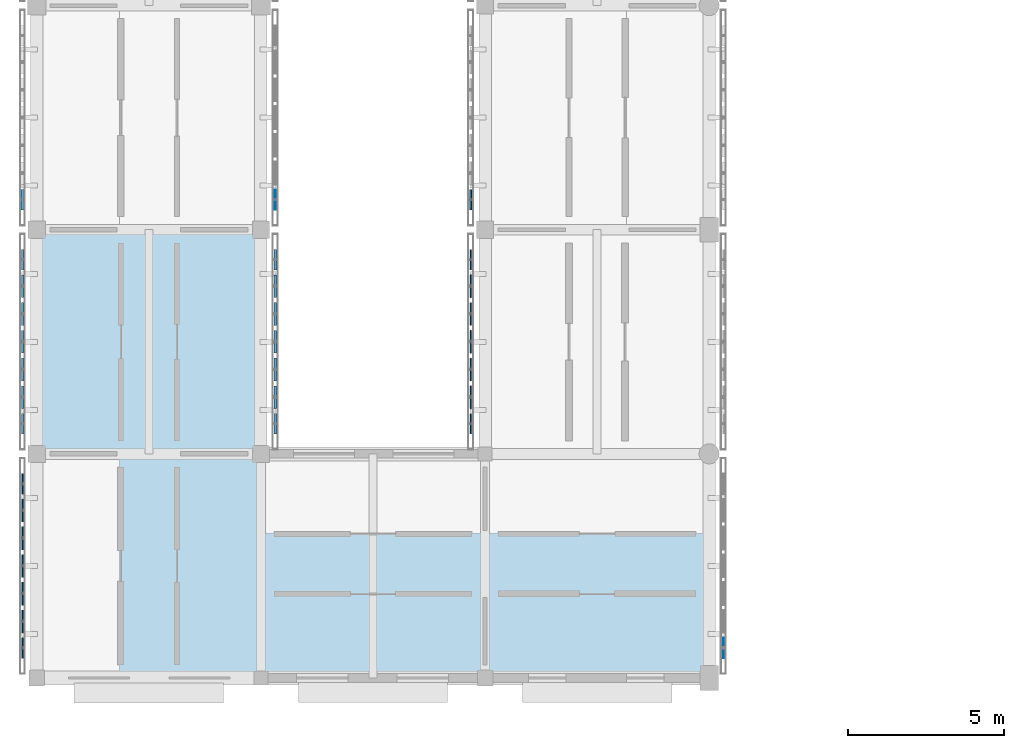
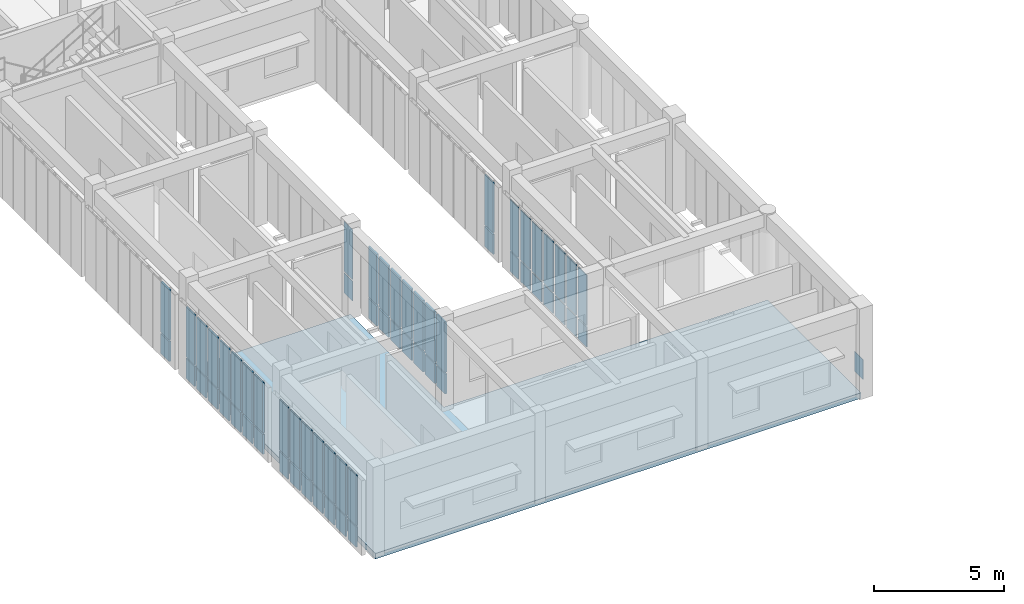
# One storey, part 92 of 171: 63 plates, 1 slab, 8 elements without a shape of their own.
"""IFC4 building model written with IfcOpenShell, lengths in metres."""

from ifc_helpers import new_model, si_unit, direction, frame, origin, origin_2d, place, context, subcontext, project, spatial, polyline, rectangle, outline, extrude, material, layer, layer_set, type_object, element, aggregate, save


model = new_model("IFC4")

# Units and contexts
model_context = context("Model", 3, precision=1e-05, world=origin(), true_north=direction((0.0, 1.0)))
body_context = subcontext(model_context, "Body", "Model", "MODEL_VIEW")
ifc_project = project(units=[si_unit("LENGTHUNIT", "METRE"), si_unit("AREAUNIT", "SQUARE_METRE"), si_unit("VOLUMEUNIT", "CUBIC_METRE"), si_unit("PLANEANGLEUNIT", "RADIAN"), si_unit("MASSUNIT", "GRAM", prefix="KILO")], contexts=[model_context])

# Site, building, storey
site_placement = place(None, origin())
site = spatial("IfcSite", under=ifc_project, at=site_placement, CompositionType="ELEMENT")
building_placement = place(site_placement, origin())
building = spatial("IfcBuilding", under=site, at=building_placement, Name="Aldebral Square Health Centre", CompositionType="ELEMENT")
storey_placement = place(building_placement, frame((0.0, 0.0, 4.5)))
storey = spatial("IfcBuildingStorey", under=building, at=storey_placement, Name="L01", CompositionType="ELEMENT", Elevation=4.5)

# Curtain wall, plates
ifc_material_1 = material(Name="Aluminium and low-E solar glass", Category="aluminium")
curtain_wall_type = type_object("IfcCurtainWallType", Name="CW-FIN-SYS", PredefinedType="USERDEFINED", material=ifc_material_1)
curtain_wall_1_placement = place(storey_placement, origin())
curtain_wall_1 = element("IfcCurtainWall", 1, at=curtain_wall_1_placement, inside=storey, type_object=curtain_wall_type, Name="L01 V6 finned curtain wall L01-V6-00-02-E", ObjectType="SOLAR_CURTAIN_WALL", PredefinedType="USERDEFINED")
ifc_material_2 = material(Name="Solar-control low-E double glass", Category="glass")
ifc_layer_1 = layer(ifc_material_2, 0.02001953125, Name="Solar-control low-E double glass", Category="glass")
ifc_layer_set_1 = layer_set([ifc_layer_1], Name="Solar-control low-E double glass")
plate_type_1 = type_object("IfcPlateType", Name="CWP-GLZ-1", PredefinedType="CURTAIN_PANEL", material=ifc_layer_set_1)
plate_1_placement = place(storey_placement, frame((7.659912109375, 15.36572265625, 0.074951171875), z_axis=(0.0, 0.0, 1.0), x_axis=(0.0, 1.0, 0.0)))
plate_1 = element("IfcPlate", 2, at=plate_1_placement, type_object=plate_type_1, Name="CW1 panel 1.1", PredefinedType="CURTAIN_PANEL", context=body_context, shape_type="SweptSolid", body=[
    extrude(rectangle(XDim=0.6513671875, YDim=0.02001953125, at=origin_2d()), origin(), (0.0, 0.0, 1.0), 0.9375),
])
plate_2_placement = place(storey_placement, frame((7.659912109375, 15.36572265625, 1.087646484375), z_axis=(0.0, 0.0, 1.0), x_axis=(0.0, 1.0, 0.0)))
plate_2 = element("IfcPlate", 3, at=plate_2_placement, type_object=plate_type_1, Name="CW1 panel 1.2", PredefinedType="CURTAIN_PANEL", context=body_context, shape_type="SweptSolid", body=[
    extrude(rectangle(XDim=0.6513671875, YDim=0.02001953125, at=origin_2d()), origin(), (0.0, 0.0, 1.0), 2.357421875),
])
aggregate(curtain_wall_1, [plate_1, plate_2])

# Curtain wall, plate
curtain_wall_2_placement = place(storey_placement, origin())
curtain_wall_2 = element("IfcCurtainWall", 4, at=curtain_wall_2_placement, inside=storey, type_object=curtain_wall_type, Name="L01 V6 finned curtain wall L01-V6-02-00-E", ObjectType="SOLAR_CURTAIN_WALL", PredefinedType="USERDEFINED")
ifc_layer_2 = layer(ifc_material_2, 0.030029296875, Name="Solar-control low-E double glass", Category="glass")
ifc_layer_set_2 = layer_set([ifc_layer_2], Name="Solar-control low-E double glass")
plate_type_2 = type_object("IfcPlateType", Name="CWP-GLZ-2", PredefinedType="CURTAIN_PANEL", material=ifc_layer_set_2)
plate_3_placement = place(storey_placement, frame((22.06005859375, 0.9658203125, 0.074951171875), z_axis=(0.0, 0.0, 1.0), x_axis=(0.0, 1.0, 0.0)))
plate_3 = element("IfcPlate", 5, at=plate_3_placement, type_object=plate_type_2, Name="CW1 panel 1.1", PredefinedType="CURTAIN_PANEL", context=body_context, shape_type="SweptSolid", body=[
    extrude(rectangle(XDim=0.6513671875, YDim=0.030029296875, at=origin_2d()), origin(), (0.0, 0.0, 1.0), 0.9375),
])
aggregate(curtain_wall_2, [plate_3])

# Curtain wall, plates
curtain_wall_3_placement = place(storey_placement, origin())
curtain_wall_3 = element("IfcCurtainWall", 6, at=curtain_wall_3_placement, inside=storey, type_object=curtain_wall_type, Name="L01 V6 finned curtain wall L01-V6-02-01-W", ObjectType="SOLAR_CURTAIN_WALL", PredefinedType="USERDEFINED")
ifc_layer_3 = layer(ifc_material_2, 0.0400390625, Name="Solar-control low-E double glass", Category="glass")
ifc_layer_set_3 = layer_set([ifc_layer_3], Name="Solar-control low-E double glass")
plate_type_3 = type_object("IfcPlateType", Name="CWP-GLZ-3", PredefinedType="CURTAIN_PANEL", material=ifc_layer_set_3)
plate_4_placement = place(storey_placement, frame((13.93994140625, 13.434326171875, 0.074951171875), z_axis=(0.0, 0.0, 1.0), x_axis=(0.0, -1.0, 0.0)))
plate_4 = element("IfcPlate", 7, at=plate_4_placement, type_object=plate_type_3, Name="CW1 panel 1.1", PredefinedType="CURTAIN_PANEL", context=body_context, shape_type="SweptSolid", body=[
    extrude(rectangle(XDim=0.6513671875, YDim=0.0400390625, at=origin_2d()), origin(), (0.0, 0.0, 1.0), 0.9375),
])
plate_5_placement = place(storey_placement, frame((13.93994140625, 13.434326171875, 1.087646484375), z_axis=(0.0, 0.0, 1.0), x_axis=(0.0, -1.0, 0.0)))
plate_5 = element("IfcPlate", 8, at=plate_5_placement, type_object=plate_type_3, Name="CW1 panel 1.2", PredefinedType="CURTAIN_PANEL", context=body_context, shape_type="SweptSolid", body=[
    extrude(rectangle(XDim=0.6513671875, YDim=0.0400390625, at=origin_2d()), origin(), (0.0, 0.0, 1.0), 2.357421875),
])
plate_6_placement = place(storey_placement, frame((13.93994140625, 12.582763671875, 0.074951171875), z_axis=(0.0, 0.0, 1.0), x_axis=(0.0, -1.0, 0.0)))
plate_6 = element("IfcPlate", 9, at=plate_6_placement, type_object=plate_type_3, Name="CW1 panel 2.1", PredefinedType="CURTAIN_PANEL", context=body_context, shape_type="SweptSolid", body=[
    extrude(rectangle(XDim=0.7314453125, YDim=0.0400390625, at=origin_2d()), origin(), (0.0, 0.0, 1.0), 0.9375),
])
plate_7_placement = place(storey_placement, frame((13.93994140625, 12.582763671875, 1.087646484375), z_axis=(0.0, 0.0, 1.0), x_axis=(0.0, -1.0, 0.0)))
plate_7 = element("IfcPlate", 10, at=plate_7_placement, type_object=plate_type_3, Name="CW1 panel 2.2", PredefinedType="CURTAIN_PANEL", context=body_context, shape_type="SweptSolid", body=[
    extrude(rectangle(XDim=0.7314453125, YDim=0.0400390625, at=origin_2d()), origin(), (0.0, 0.0, 1.0), 2.357421875),
])
plate_8_placement = place(storey_placement, frame((13.93994140625, 11.69140625, 0.074951171875), z_axis=(0.0, 0.0, 1.0), x_axis=(0.0, -1.0, 0.0)))
plate_8 = element("IfcPlate", 11, at=plate_8_placement, type_object=plate_type_3, Name="CW1 panel 3.1", PredefinedType="CURTAIN_PANEL", context=body_context, shape_type="SweptSolid", body=[
    extrude(rectangle(XDim=0.7314453125, YDim=0.0400390625, at=origin_2d()), origin(), (0.0, 0.0, 1.0), 0.9375),
])
plate_9_placement = place(storey_placement, frame((13.93994140625, 11.69140625, 1.087646484375), z_axis=(0.0, 0.0, 1.0), x_axis=(0.0, -1.0, 0.0)))
plate_9 = element("IfcPlate", 12, at=plate_9_placement, type_object=plate_type_3, Name="CW1 panel 3.2", PredefinedType="CURTAIN_PANEL", context=body_context, shape_type="SweptSolid", body=[
    extrude(rectangle(XDim=0.7314453125, YDim=0.0400390625, at=origin_2d()), origin(), (0.0, 0.0, 1.0), 2.357421875),
])
plate_10_placement = place(storey_placement, frame((13.93994140625, 10.800048828125, 0.074951171875), z_axis=(0.0, 0.0, 1.0), x_axis=(0.0, -1.0, 0.0)))
plate_10 = element("IfcPlate", 13, at=plate_10_placement, type_object=plate_type_3, Name="CW1 panel 4.1", PredefinedType="CURTAIN_PANEL", context=body_context, shape_type="SweptSolid", body=[
    extrude(rectangle(XDim=0.7314453125, YDim=0.0400390625, at=origin_2d()), origin(), (0.0, 0.0, 1.0), 0.9375),
])
plate_11_placement = place(storey_placement, frame((13.93994140625, 10.800048828125, 1.087646484375), z_axis=(0.0, 0.0, 1.0), x_axis=(0.0, -1.0, 0.0)))
plate_11 = element("IfcPlate", 14, at=plate_11_placement, type_object=plate_type_3, Name="CW1 panel 4.2", PredefinedType="CURTAIN_PANEL", context=body_context, shape_type="SweptSolid", body=[
    extrude(rectangle(XDim=0.7314453125, YDim=0.0400390625, at=origin_2d()), origin(), (0.0, 0.0, 1.0), 2.357421875),
])
plate_12_placement = place(storey_placement, frame((13.93994140625, 9.90869140625, 0.074951171875), z_axis=(0.0, 0.0, 1.0), x_axis=(0.0, -1.0, 0.0)))
plate_12 = element("IfcPlate", 15, at=plate_12_placement, type_object=plate_type_3, Name="CW1 panel 5.1", PredefinedType="CURTAIN_PANEL", context=body_context, shape_type="SweptSolid", body=[
    extrude(rectangle(XDim=0.7314453125, YDim=0.0400390625, at=origin_2d()), origin(), (0.0, 0.0, 1.0), 0.9375),
])
plate_13_placement = place(storey_placement, frame((13.93994140625, 9.90869140625, 1.087646484375), z_axis=(0.0, 0.0, 1.0), x_axis=(0.0, -1.0, 0.0)))
plate_13 = element("IfcPlate", 16, at=plate_13_placement, type_object=plate_type_3, Name="CW1 panel 5.2", PredefinedType="CURTAIN_PANEL", context=body_context, shape_type="SweptSolid", body=[
    extrude(rectangle(XDim=0.7314453125, YDim=0.0400390625, at=origin_2d()), origin(), (0.0, 0.0, 1.0), 2.357421875),
])
plate_14_placement = place(storey_placement, frame((13.93994140625, 9.01708984375, 0.074951171875), z_axis=(0.0, 0.0, 1.0), x_axis=(0.0, -1.0, 0.0)))
plate_14 = element("IfcPlate", 17, at=plate_14_placement, type_object=plate_type_3, Name="CW1 panel 6.1", PredefinedType="CURTAIN_PANEL", context=body_context, shape_type="SweptSolid", body=[
    extrude(rectangle(XDim=0.7314453125, YDim=0.0400390625, at=origin_2d()), origin(), (0.0, 0.0, 1.0), 0.9375),
])
plate_15_placement = place(storey_placement, frame((13.93994140625, 9.01708984375, 1.087646484375), z_axis=(0.0, 0.0, 1.0), x_axis=(0.0, -1.0, 0.0)))
plate_15 = element("IfcPlate", 18, at=plate_15_placement, type_object=plate_type_3, Name="CW1 panel 6.2", PredefinedType="CURTAIN_PANEL", context=body_context, shape_type="SweptSolid", body=[
    extrude(rectangle(XDim=0.7314453125, YDim=0.0400390625, at=origin_2d()), origin(), (0.0, 0.0, 1.0), 2.357421875),
])
plate_16_placement = place(storey_placement, frame((13.93994140625, 8.165771484375, 0.074951171875), z_axis=(0.0, 0.0, 1.0), x_axis=(0.0, -1.0, 0.0)))
plate_16 = element("IfcPlate", 19, at=plate_16_placement, type_object=plate_type_3, Name="CW1 panel 7.1", PredefinedType="CURTAIN_PANEL", context=body_context, shape_type="SweptSolid", body=[
    extrude(rectangle(XDim=0.6513671875, YDim=0.0400390625, at=origin_2d()), origin(), (0.0, 0.0, 1.0), 0.9375),
])
plate_17_placement = place(storey_placement, frame((13.93994140625, 8.165771484375, 1.087646484375), z_axis=(0.0, 0.0, 1.0), x_axis=(0.0, -1.0, 0.0)))
plate_17 = element("IfcPlate", 20, at=plate_17_placement, type_object=plate_type_3, Name="CW1 panel 7.2", PredefinedType="CURTAIN_PANEL", context=body_context, shape_type="SweptSolid", body=[
    extrude(rectangle(XDim=0.6513671875, YDim=0.0400390625, at=origin_2d()), origin(), (0.0, 0.0, 1.0), 2.357421875),
])
aggregate(curtain_wall_3, [plate_4, plate_5, plate_6, plate_7, plate_8, plate_9, plate_10, plate_11, plate_12, plate_13, plate_14, plate_15, plate_16, plate_17])

curtain_wall_4_placement = place(storey_placement, origin())
curtain_wall_4 = element("IfcCurtainWall", 21, at=curtain_wall_4_placement, inside=storey, type_object=curtain_wall_type, Name="L01 V6 finned curtain wall L01-V6-00-00-W", ObjectType="SOLAR_CURTAIN_WALL", PredefinedType="USERDEFINED")
ifc_layer_4 = layer(ifc_material_2, 0.06005859375, Name="Solar-control low-E double glass", Category="glass")
ifc_layer_set_4 = layer_set([ifc_layer_4], Name="Solar-control low-E double glass")
plate_type_4 = type_object("IfcPlateType", Name="CWP-GLZ-5", PredefinedType="CURTAIN_PANEL", material=ifc_layer_set_4)
plate_18_placement = place(storey_placement, frame((-0.4599609375, 6.234375, 0.074951171875), z_axis=(0.0, 0.0, 1.0), x_axis=(0.0, -1.0, 0.0)))
plate_18 = element("IfcPlate", 22, at=plate_18_placement, type_object=plate_type_4, Name="CW1 panel 1.1", PredefinedType="CURTAIN_PANEL", context=body_context, shape_type="SweptSolid", body=[
    extrude(rectangle(XDim=0.6513671875, YDim=0.06005859375, at=origin_2d()), origin(), (0.0, 0.0, 1.0), 0.9375),
])
plate_19_placement = place(storey_placement, frame((-0.4599609375, 6.234375, 1.087646484375), z_axis=(0.0, 0.0, 1.0), x_axis=(0.0, -1.0, 0.0)))
plate_19 = element("IfcPlate", 23, at=plate_19_placement, type_object=plate_type_4, Name="CW1 panel 1.2", PredefinedType="CURTAIN_PANEL", context=body_context, shape_type="SweptSolid", body=[
    extrude(rectangle(XDim=0.6513671875, YDim=0.06005859375, at=origin_2d()), origin(), (0.0, 0.0, 1.0), 2.357421875),
])
plate_20_placement = place(storey_placement, frame((-0.4599609375, 5.3828125, 0.074951171875), z_axis=(0.0, 0.0, 1.0), x_axis=(0.0, -1.0, 0.0)))
plate_20 = element("IfcPlate", 24, at=plate_20_placement, type_object=plate_type_4, Name="CW1 panel 2.1", PredefinedType="CURTAIN_PANEL", context=body_context, shape_type="SweptSolid", body=[
    extrude(rectangle(XDim=0.7314453125, YDim=0.06005859375, at=origin_2d()), origin(), (0.0, 0.0, 1.0), 0.9375),
])
plate_21_placement = place(storey_placement, frame((-0.4599609375, 5.3828125, 1.087646484375), z_axis=(0.0, 0.0, 1.0), x_axis=(0.0, -1.0, 0.0)))
plate_21 = element("IfcPlate", 25, at=plate_21_placement, type_object=plate_type_4, Name="CW1 panel 2.2", PredefinedType="CURTAIN_PANEL", context=body_context, shape_type="SweptSolid", body=[
    extrude(rectangle(XDim=0.7314453125, YDim=0.06005859375, at=origin_2d()), origin(), (0.0, 0.0, 1.0), 2.357421875),
])
plate_22_placement = place(storey_placement, frame((-0.4599609375, 4.491455078125, 0.074951171875), z_axis=(0.0, 0.0, 1.0), x_axis=(0.0, -1.0, 0.0)))
plate_22 = element("IfcPlate", 26, at=plate_22_placement, type_object=plate_type_4, Name="CW1 panel 3.1", PredefinedType="CURTAIN_PANEL", context=body_context, shape_type="SweptSolid", body=[
    extrude(rectangle(XDim=0.7314453125, YDim=0.06005859375, at=origin_2d()), origin(), (0.0, 0.0, 1.0), 0.9375),
])
plate_23_placement = place(storey_placement, frame((-0.4599609375, 4.491455078125, 1.087646484375), z_axis=(0.0, 0.0, 1.0), x_axis=(0.0, -1.0, 0.0)))
plate_23 = element("IfcPlate", 27, at=plate_23_placement, type_object=plate_type_4, Name="CW1 panel 3.2", PredefinedType="CURTAIN_PANEL", context=body_context, shape_type="SweptSolid", body=[
    extrude(rectangle(XDim=0.7314453125, YDim=0.06005859375, at=origin_2d()), origin(), (0.0, 0.0, 1.0), 2.357421875),
])
plate_24_placement = place(storey_placement, frame((-0.4599609375, 3.60009765625, 0.074951171875), z_axis=(0.0, 0.0, 1.0), x_axis=(0.0, -1.0, 0.0)))
plate_24 = element("IfcPlate", 28, at=plate_24_placement, type_object=plate_type_4, Name="CW1 panel 4.1", PredefinedType="CURTAIN_PANEL", context=body_context, shape_type="SweptSolid", body=[
    extrude(rectangle(XDim=0.7314453125, YDim=0.06005859375, at=origin_2d()), origin(), (0.0, 0.0, 1.0), 0.9375),
])
plate_25_placement = place(storey_placement, frame((-0.4599609375, 3.60009765625, 1.087646484375), z_axis=(0.0, 0.0, 1.0), x_axis=(0.0, -1.0, 0.0)))
plate_25 = element("IfcPlate", 29, at=plate_25_placement, type_object=plate_type_4, Name="CW1 panel 4.2", PredefinedType="CURTAIN_PANEL", context=body_context, shape_type="SweptSolid", body=[
    extrude(rectangle(XDim=0.7314453125, YDim=0.06005859375, at=origin_2d()), origin(), (0.0, 0.0, 1.0), 2.357421875),
])
plate_26_placement = place(storey_placement, frame((-0.4599609375, 2.70849609375, 0.074951171875), z_axis=(0.0, 0.0, 1.0), x_axis=(0.0, -1.0, 0.0)))
plate_26 = element("IfcPlate", 30, at=plate_26_placement, type_object=plate_type_4, Name="CW1 panel 5.1", PredefinedType="CURTAIN_PANEL", context=body_context, shape_type="SweptSolid", body=[
    extrude(rectangle(XDim=0.7314453125, YDim=0.06005859375, at=origin_2d()), origin(), (0.0, 0.0, 1.0), 0.9375),
])
plate_27_placement = place(storey_placement, frame((-0.4599609375, 2.70849609375, 1.087646484375), z_axis=(0.0, 0.0, 1.0), x_axis=(0.0, -1.0, 0.0)))
plate_27 = element("IfcPlate", 31, at=plate_27_placement, type_object=plate_type_4, Name="CW1 panel 5.2", PredefinedType="CURTAIN_PANEL", context=body_context, shape_type="SweptSolid", body=[
    extrude(rectangle(XDim=0.7314453125, YDim=0.06005859375, at=origin_2d()), origin(), (0.0, 0.0, 1.0), 2.357421875),
])
plate_28_placement = place(storey_placement, frame((-0.4599609375, 1.817138671875, 0.074951171875), z_axis=(0.0, 0.0, 1.0), x_axis=(0.0, -1.0, 0.0)))
plate_28 = element("IfcPlate", 32, at=plate_28_placement, type_object=plate_type_4, Name="CW1 panel 6.1", PredefinedType="CURTAIN_PANEL", context=body_context, shape_type="SweptSolid", body=[
    extrude(rectangle(XDim=0.7314453125, YDim=0.06005859375, at=origin_2d()), origin(), (0.0, 0.0, 1.0), 0.9375),
])
plate_29_placement = place(storey_placement, frame((-0.4599609375, 1.817138671875, 1.087646484375), z_axis=(0.0, 0.0, 1.0), x_axis=(0.0, -1.0, 0.0)))
plate_29 = element("IfcPlate", 33, at=plate_29_placement, type_object=plate_type_4, Name="CW1 panel 6.2", PredefinedType="CURTAIN_PANEL", context=body_context, shape_type="SweptSolid", body=[
    extrude(rectangle(XDim=0.7314453125, YDim=0.06005859375, at=origin_2d()), origin(), (0.0, 0.0, 1.0), 2.357421875),
])
plate_30_placement = place(storey_placement, frame((-0.4599609375, 0.9658203125, 0.074951171875), z_axis=(0.0, 0.0, 1.0), x_axis=(0.0, -1.0, 0.0)))
plate_30 = element("IfcPlate", 34, at=plate_30_placement, type_object=plate_type_4, Name="CW1 panel 7.1", PredefinedType="CURTAIN_PANEL", context=body_context, shape_type="SweptSolid", body=[
    extrude(rectangle(XDim=0.6513671875, YDim=0.06005859375, at=origin_2d()), origin(), (0.0, 0.0, 1.0), 0.9375),
])
plate_31_placement = place(storey_placement, frame((-0.4599609375, 0.9658203125, 1.087646484375), z_axis=(0.0, 0.0, 1.0), x_axis=(0.0, -1.0, 0.0)))
plate_31 = element("IfcPlate", 35, at=plate_31_placement, type_object=plate_type_4, Name="CW1 panel 7.2", PredefinedType="CURTAIN_PANEL", context=body_context, shape_type="SweptSolid", body=[
    extrude(rectangle(XDim=0.6513671875, YDim=0.06005859375, at=origin_2d()), origin(), (0.0, 0.0, 1.0), 2.357421875),
])
aggregate(curtain_wall_4, [plate_18, plate_19, plate_20, plate_21, plate_22, plate_23, plate_24, plate_25, plate_26, plate_27, plate_28, plate_29, plate_30, plate_31])

curtain_wall_5_placement = place(storey_placement, origin())
curtain_wall_5 = element("IfcCurtainWall", 36, at=curtain_wall_5_placement, inside=storey, type_object=curtain_wall_type, Name="L01 V6 finned curtain wall L01-V6-02-02-W", ObjectType="SOLAR_CURTAIN_WALL", PredefinedType="USERDEFINED")
plate_32_placement = place(storey_placement, frame((13.93994140625, 15.36572265625, 0.074951171875), z_axis=(0.0, 0.0, 1.0), x_axis=(0.0, -1.0, 0.0)))
plate_32 = element("IfcPlate", 37, at=plate_32_placement, type_object=plate_type_4, Name="CW1 panel 7.1", PredefinedType="CURTAIN_PANEL", context=body_context, shape_type="SweptSolid", body=[
    extrude(rectangle(XDim=0.6513671875, YDim=0.06005859375, at=origin_2d()), origin(), (0.0, 0.0, 1.0), 0.9375),
])
plate_33_placement = place(storey_placement, frame((13.93994140625, 15.36572265625, 1.087646484375), z_axis=(0.0, 0.0, 1.0), x_axis=(0.0, -1.0, 0.0)))
plate_33 = element("IfcPlate", 38, at=plate_33_placement, type_object=plate_type_4, Name="CW1 panel 7.2", PredefinedType="CURTAIN_PANEL", context=body_context, shape_type="SweptSolid", body=[
    extrude(rectangle(XDim=0.6513671875, YDim=0.06005859375, at=origin_2d()), origin(), (0.0, 0.0, 1.0), 2.357421875),
])
aggregate(curtain_wall_5, [plate_32, plate_33])

curtain_wall_6_placement = place(storey_placement, origin())
curtain_wall_6 = element("IfcCurtainWall", 39, at=curtain_wall_6_placement, inside=storey, type_object=curtain_wall_type, Name="L01 V6 finned curtain wall L01-V6-00-01-W", ObjectType="SOLAR_CURTAIN_WALL", PredefinedType="USERDEFINED")
ifc_layer_5 = layer(ifc_material_2, 0.070068359375, Name="Solar-control low-E double glass", Category="glass")
ifc_layer_set_5 = layer_set([ifc_layer_5], Name="Solar-control low-E double glass")
plate_type_5 = type_object("IfcPlateType", Name="CWP-GLZ-6", PredefinedType="CURTAIN_PANEL", material=ifc_layer_set_5)
plate_34_placement = place(storey_placement, frame((-0.4599609375, 13.434326171875, 0.074951171875), z_axis=(0.0, 0.0, 1.0), x_axis=(0.0, -1.0, 0.0)))
plate_34 = element("IfcPlate", 40, at=plate_34_placement, type_object=plate_type_5, Name="CW1 panel 1.1", PredefinedType="CURTAIN_PANEL", context=body_context, shape_type="SweptSolid", body=[
    extrude(rectangle(XDim=0.6513671875, YDim=0.070068359375, at=origin_2d()), origin(), (0.0, 0.0, 1.0), 0.9375),
])
plate_35_placement = place(storey_placement, frame((-0.4599609375, 13.434326171875, 1.087646484375), z_axis=(0.0, 0.0, 1.0), x_axis=(0.0, -1.0, 0.0)))
plate_35 = element("IfcPlate", 41, at=plate_35_placement, type_object=plate_type_5, Name="CW1 panel 1.2", PredefinedType="CURTAIN_PANEL", context=body_context, shape_type="SweptSolid", body=[
    extrude(rectangle(XDim=0.6513671875, YDim=0.070068359375, at=origin_2d()), origin(), (0.0, 0.0, 1.0), 2.357421875),
])
plate_36_placement = place(storey_placement, frame((-0.4599609375, 12.582763671875, 0.074951171875), z_axis=(0.0, 0.0, 1.0), x_axis=(0.0, -1.0, 0.0)))
plate_36 = element("IfcPlate", 42, at=plate_36_placement, type_object=plate_type_5, Name="CW1 panel 2.1", PredefinedType="CURTAIN_PANEL", context=body_context, shape_type="SweptSolid", body=[
    extrude(rectangle(XDim=0.7314453125, YDim=0.070068359375, at=origin_2d()), origin(), (0.0, 0.0, 1.0), 0.9375),
])
plate_37_placement = place(storey_placement, frame((-0.4599609375, 12.582763671875, 1.087646484375), z_axis=(0.0, 0.0, 1.0), x_axis=(0.0, -1.0, 0.0)))
plate_37 = element("IfcPlate", 43, at=plate_37_placement, type_object=plate_type_5, Name="CW1 panel 2.2", PredefinedType="CURTAIN_PANEL", context=body_context, shape_type="SweptSolid", body=[
    extrude(rectangle(XDim=0.7314453125, YDim=0.070068359375, at=origin_2d()), origin(), (0.0, 0.0, 1.0), 2.357421875),
])
plate_38_placement = place(storey_placement, frame((-0.4599609375, 11.69140625, 0.074951171875), z_axis=(0.0, 0.0, 1.0), x_axis=(0.0, -1.0, 0.0)))
plate_38 = element("IfcPlate", 44, at=plate_38_placement, type_object=plate_type_5, Name="CW1 panel 3.1", PredefinedType="CURTAIN_PANEL", context=body_context, shape_type="SweptSolid", body=[
    extrude(rectangle(XDim=0.7314453125, YDim=0.070068359375, at=origin_2d()), origin(), (0.0, 0.0, 1.0), 0.9375),
])
plate_39_placement = place(storey_placement, frame((-0.4599609375, 11.69140625, 1.087646484375), z_axis=(0.0, 0.0, 1.0), x_axis=(0.0, -1.0, 0.0)))
plate_39 = element("IfcPlate", 45, at=plate_39_placement, type_object=plate_type_5, Name="CW1 panel 3.2", PredefinedType="CURTAIN_PANEL", context=body_context, shape_type="SweptSolid", body=[
    extrude(rectangle(XDim=0.7314453125, YDim=0.070068359375, at=origin_2d()), origin(), (0.0, 0.0, 1.0), 2.357421875),
])
plate_40_placement = place(storey_placement, frame((-0.4599609375, 10.800048828125, 0.074951171875), z_axis=(0.0, 0.0, 1.0), x_axis=(0.0, -1.0, 0.0)))
plate_40 = element("IfcPlate", 46, at=plate_40_placement, type_object=plate_type_5, Name="CW1 panel 4.1", PredefinedType="CURTAIN_PANEL", context=body_context, shape_type="SweptSolid", body=[
    extrude(rectangle(XDim=0.7314453125, YDim=0.070068359375, at=origin_2d()), origin(), (0.0, 0.0, 1.0), 0.9375),
])
plate_41_placement = place(storey_placement, frame((-0.4599609375, 10.800048828125, 1.087646484375), z_axis=(0.0, 0.0, 1.0), x_axis=(0.0, -1.0, 0.0)))
plate_41 = element("IfcPlate", 47, at=plate_41_placement, type_object=plate_type_5, Name="CW1 panel 4.2", PredefinedType="CURTAIN_PANEL", context=body_context, shape_type="SweptSolid", body=[
    extrude(rectangle(XDim=0.7314453125, YDim=0.070068359375, at=origin_2d()), origin(), (0.0, 0.0, 1.0), 2.357421875),
])
plate_42_placement = place(storey_placement, frame((-0.4599609375, 9.90869140625, 0.074951171875), z_axis=(0.0, 0.0, 1.0), x_axis=(0.0, -1.0, 0.0)))
plate_42 = element("IfcPlate", 48, at=plate_42_placement, type_object=plate_type_5, Name="CW1 panel 5.1", PredefinedType="CURTAIN_PANEL", context=body_context, shape_type="SweptSolid", body=[
    extrude(rectangle(XDim=0.7314453125, YDim=0.070068359375, at=origin_2d()), origin(), (0.0, 0.0, 1.0), 0.9375),
])
plate_43_placement = place(storey_placement, frame((-0.4599609375, 9.90869140625, 1.087646484375), z_axis=(0.0, 0.0, 1.0), x_axis=(0.0, -1.0, 0.0)))
plate_43 = element("IfcPlate", 49, at=plate_43_placement, type_object=plate_type_5, Name="CW1 panel 5.2", PredefinedType="CURTAIN_PANEL", context=body_context, shape_type="SweptSolid", body=[
    extrude(rectangle(XDim=0.7314453125, YDim=0.070068359375, at=origin_2d()), origin(), (0.0, 0.0, 1.0), 2.357421875),
])
plate_44_placement = place(storey_placement, frame((-0.4599609375, 9.01708984375, 0.074951171875), z_axis=(0.0, 0.0, 1.0), x_axis=(0.0, -1.0, 0.0)))
plate_44 = element("IfcPlate", 50, at=plate_44_placement, type_object=plate_type_5, Name="CW1 panel 6.1", PredefinedType="CURTAIN_PANEL", context=body_context, shape_type="SweptSolid", body=[
    extrude(rectangle(XDim=0.7314453125, YDim=0.070068359375, at=origin_2d()), origin(), (0.0, 0.0, 1.0), 0.9375),
])
plate_45_placement = place(storey_placement, frame((-0.4599609375, 9.01708984375, 1.087646484375), z_axis=(0.0, 0.0, 1.0), x_axis=(0.0, -1.0, 0.0)))
plate_45 = element("IfcPlate", 51, at=plate_45_placement, type_object=plate_type_5, Name="CW1 panel 6.2", PredefinedType="CURTAIN_PANEL", context=body_context, shape_type="SweptSolid", body=[
    extrude(rectangle(XDim=0.7314453125, YDim=0.070068359375, at=origin_2d()), origin(), (0.0, 0.0, 1.0), 2.357421875),
])
plate_46_placement = place(storey_placement, frame((-0.4599609375, 8.165771484375, 0.074951171875), z_axis=(0.0, 0.0, 1.0), x_axis=(0.0, -1.0, 0.0)))
plate_46 = element("IfcPlate", 52, at=plate_46_placement, type_object=plate_type_5, Name="CW1 panel 7.1", PredefinedType="CURTAIN_PANEL", context=body_context, shape_type="SweptSolid", body=[
    extrude(rectangle(XDim=0.6513671875, YDim=0.070068359375, at=origin_2d()), origin(), (0.0, 0.0, 1.0), 0.9375),
])
plate_47_placement = place(storey_placement, frame((-0.4599609375, 8.165771484375, 1.087646484375), z_axis=(0.0, 0.0, 1.0), x_axis=(0.0, -1.0, 0.0)))
plate_47 = element("IfcPlate", 53, at=plate_47_placement, type_object=plate_type_5, Name="CW1 panel 7.2", PredefinedType="CURTAIN_PANEL", context=body_context, shape_type="SweptSolid", body=[
    extrude(rectangle(XDim=0.6513671875, YDim=0.070068359375, at=origin_2d()), origin(), (0.0, 0.0, 1.0), 2.357421875),
])
aggregate(curtain_wall_6, [plate_34, plate_35, plate_36, plate_37, plate_38, plate_39, plate_40, plate_41, plate_42, plate_43, plate_44, plate_45, plate_46, plate_47])

curtain_wall_7_placement = place(storey_placement, origin())
curtain_wall_7 = element("IfcCurtainWall", 54, at=curtain_wall_7_placement, inside=storey, type_object=curtain_wall_type, Name="L01 V6 finned curtain wall L01-V6-00-01-E", ObjectType="SOLAR_CURTAIN_WALL", PredefinedType="USERDEFINED")
ifc_layer_6 = layer(ifc_material_2, 0.080078125, Name="Solar-control low-E double glass", Category="glass")
ifc_layer_set_6 = layer_set([ifc_layer_6], Name="Solar-control low-E double glass")
plate_type_6 = type_object("IfcPlateType", Name="CWP-GLZ-7", PredefinedType="CURTAIN_PANEL", material=ifc_layer_set_6)
plate_48_placement = place(storey_placement, frame((7.659912109375, 8.165771484375, 0.074951171875), z_axis=(0.0, 0.0, 1.0), x_axis=(0.0, 1.0, 0.0)))
plate_48 = element("IfcPlate", 55, at=plate_48_placement, type_object=plate_type_6, Name="CW1 panel 1.1", PredefinedType="CURTAIN_PANEL", context=body_context, shape_type="SweptSolid", body=[
    extrude(rectangle(XDim=0.6513671875, YDim=0.080078125, at=origin_2d()), origin(), (0.0, 0.0, 1.0), 0.9375),
])
plate_49_placement = place(storey_placement, frame((7.659912109375, 8.165771484375, 1.087646484375), z_axis=(0.0, 0.0, 1.0), x_axis=(0.0, 1.0, 0.0)))
plate_49 = element("IfcPlate", 56, at=plate_49_placement, type_object=plate_type_6, Name="CW1 panel 1.2", PredefinedType="CURTAIN_PANEL", context=body_context, shape_type="SweptSolid", body=[
    extrude(rectangle(XDim=0.6513671875, YDim=0.080078125, at=origin_2d()), origin(), (0.0, 0.0, 1.0), 2.357421875),
])
plate_50_placement = place(storey_placement, frame((7.659912109375, 9.01708984375, 0.074951171875), z_axis=(0.0, 0.0, 1.0), x_axis=(0.0, 1.0, 0.0)))
plate_50 = element("IfcPlate", 57, at=plate_50_placement, type_object=plate_type_6, Name="CW1 panel 2.1", PredefinedType="CURTAIN_PANEL", context=body_context, shape_type="SweptSolid", body=[
    extrude(rectangle(XDim=0.7314453125, YDim=0.080078125, at=origin_2d()), origin(), (0.0, 0.0, 1.0), 0.9375),
])
plate_51_placement = place(storey_placement, frame((7.659912109375, 9.01708984375, 1.087646484375), z_axis=(0.0, 0.0, 1.0), x_axis=(0.0, 1.0, 0.0)))
plate_51 = element("IfcPlate", 58, at=plate_51_placement, type_object=plate_type_6, Name="CW1 panel 2.2", PredefinedType="CURTAIN_PANEL", context=body_context, shape_type="SweptSolid", body=[
    extrude(rectangle(XDim=0.7314453125, YDim=0.080078125, at=origin_2d()), origin(), (0.0, 0.0, 1.0), 2.357421875),
])
plate_52_placement = place(storey_placement, frame((7.659912109375, 9.90869140625, 0.074951171875), z_axis=(0.0, 0.0, 1.0), x_axis=(0.0, 1.0, 0.0)))
plate_52 = element("IfcPlate", 59, at=plate_52_placement, type_object=plate_type_6, Name="CW1 panel 3.1", PredefinedType="CURTAIN_PANEL", context=body_context, shape_type="SweptSolid", body=[
    extrude(rectangle(XDim=0.7314453125, YDim=0.080078125, at=origin_2d()), origin(), (0.0, 0.0, 1.0), 0.9375),
])
plate_53_placement = place(storey_placement, frame((7.659912109375, 9.90869140625, 1.087646484375), z_axis=(0.0, 0.0, 1.0), x_axis=(0.0, 1.0, 0.0)))
plate_53 = element("IfcPlate", 60, at=plate_53_placement, type_object=plate_type_6, Name="CW1 panel 3.2", PredefinedType="CURTAIN_PANEL", context=body_context, shape_type="SweptSolid", body=[
    extrude(rectangle(XDim=0.7314453125, YDim=0.080078125, at=origin_2d()), origin(), (0.0, 0.0, 1.0), 2.357421875),
])
plate_54_placement = place(storey_placement, frame((7.659912109375, 10.800048828125, 0.074951171875), z_axis=(0.0, 0.0, 1.0), x_axis=(0.0, 1.0, 0.0)))
plate_54 = element("IfcPlate", 61, at=plate_54_placement, type_object=plate_type_6, Name="CW1 panel 4.1", PredefinedType="CURTAIN_PANEL", context=body_context, shape_type="SweptSolid", body=[
    extrude(rectangle(XDim=0.7314453125, YDim=0.080078125, at=origin_2d()), origin(), (0.0, 0.0, 1.0), 0.9375),
])
plate_55_placement = place(storey_placement, frame((7.659912109375, 10.800048828125, 1.087646484375), z_axis=(0.0, 0.0, 1.0), x_axis=(0.0, 1.0, 0.0)))
plate_55 = element("IfcPlate", 62, at=plate_55_placement, type_object=plate_type_6, Name="CW1 panel 4.2", PredefinedType="CURTAIN_PANEL", context=body_context, shape_type="SweptSolid", body=[
    extrude(rectangle(XDim=0.7314453125, YDim=0.080078125, at=origin_2d()), origin(), (0.0, 0.0, 1.0), 2.357421875),
])
plate_56_placement = place(storey_placement, frame((7.659912109375, 11.69140625, 0.074951171875), z_axis=(0.0, 0.0, 1.0), x_axis=(0.0, 1.0, 0.0)))
plate_56 = element("IfcPlate", 63, at=plate_56_placement, type_object=plate_type_6, Name="CW1 panel 5.1", PredefinedType="CURTAIN_PANEL", context=body_context, shape_type="SweptSolid", body=[
    extrude(rectangle(XDim=0.7314453125, YDim=0.080078125, at=origin_2d()), origin(), (0.0, 0.0, 1.0), 0.9375),
])
plate_57_placement = place(storey_placement, frame((7.659912109375, 11.69140625, 1.087646484375), z_axis=(0.0, 0.0, 1.0), x_axis=(0.0, 1.0, 0.0)))
plate_57 = element("IfcPlate", 64, at=plate_57_placement, type_object=plate_type_6, Name="CW1 panel 5.2", PredefinedType="CURTAIN_PANEL", context=body_context, shape_type="SweptSolid", body=[
    extrude(rectangle(XDim=0.7314453125, YDim=0.080078125, at=origin_2d()), origin(), (0.0, 0.0, 1.0), 2.357421875),
])
plate_58_placement = place(storey_placement, frame((7.659912109375, 12.582763671875, 0.074951171875), z_axis=(0.0, 0.0, 1.0), x_axis=(0.0, 1.0, 0.0)))
plate_58 = element("IfcPlate", 65, at=plate_58_placement, type_object=plate_type_6, Name="CW1 panel 6.1", PredefinedType="CURTAIN_PANEL", context=body_context, shape_type="SweptSolid", body=[
    extrude(rectangle(XDim=0.7314453125, YDim=0.080078125, at=origin_2d()), origin(), (0.0, 0.0, 1.0), 0.9375),
])
plate_59_placement = place(storey_placement, frame((7.659912109375, 12.582763671875, 1.087646484375), z_axis=(0.0, 0.0, 1.0), x_axis=(0.0, 1.0, 0.0)))
plate_59 = element("IfcPlate", 66, at=plate_59_placement, type_object=plate_type_6, Name="CW1 panel 6.2", PredefinedType="CURTAIN_PANEL", context=body_context, shape_type="SweptSolid", body=[
    extrude(rectangle(XDim=0.7314453125, YDim=0.080078125, at=origin_2d()), origin(), (0.0, 0.0, 1.0), 2.357421875),
])
plate_60_placement = place(storey_placement, frame((7.659912109375, 13.434326171875, 0.074951171875), z_axis=(0.0, 0.0, 1.0), x_axis=(0.0, 1.0, 0.0)))
plate_60 = element("IfcPlate", 67, at=plate_60_placement, type_object=plate_type_6, Name="CW1 panel 7.1", PredefinedType="CURTAIN_PANEL", context=body_context, shape_type="SweptSolid", body=[
    extrude(rectangle(XDim=0.6513671875, YDim=0.080078125, at=origin_2d()), origin(), (0.0, 0.0, 1.0), 0.9375),
])
plate_61_placement = place(storey_placement, frame((7.659912109375, 13.434326171875, 1.087646484375), z_axis=(0.0, 0.0, 1.0), x_axis=(0.0, 1.0, 0.0)))
plate_61 = element("IfcPlate", 68, at=plate_61_placement, type_object=plate_type_6, Name="CW1 panel 7.2", PredefinedType="CURTAIN_PANEL", context=body_context, shape_type="SweptSolid", body=[
    extrude(rectangle(XDim=0.6513671875, YDim=0.080078125, at=origin_2d()), origin(), (0.0, 0.0, 1.0), 2.357421875),
])
aggregate(curtain_wall_7, [plate_48, plate_49, plate_50, plate_51, plate_52, plate_53, plate_54, plate_55, plate_56, plate_57, plate_58, plate_59, plate_60, plate_61])

curtain_wall_8_placement = place(storey_placement, origin())
curtain_wall_8 = element("IfcCurtainWall", 69, at=curtain_wall_8_placement, inside=storey, type_object=curtain_wall_type, Name="L01 V6 finned curtain wall L01-V6-00-02-W", ObjectType="SOLAR_CURTAIN_WALL", PredefinedType="USERDEFINED")
ifc_layer_7 = layer(ifc_material_2, 0.090087890625, Name="Solar-control low-E double glass", Category="glass")
ifc_layer_set_7 = layer_set([ifc_layer_7], Name="Solar-control low-E double glass")
plate_type_7 = type_object("IfcPlateType", Name="CWP-GLZ-8", PredefinedType="CURTAIN_PANEL", material=ifc_layer_set_7)
plate_62_placement = place(storey_placement, frame((-0.4599609375, 15.36572265625, 0.074951171875), z_axis=(0.0, 0.0, 1.0), x_axis=(0.0, -1.0, 0.0)))
plate_62 = element("IfcPlate", 70, at=plate_62_placement, type_object=plate_type_7, Name="CW1 panel 7.1", PredefinedType="CURTAIN_PANEL", context=body_context, shape_type="SweptSolid", body=[
    extrude(rectangle(XDim=0.6513671875, YDim=0.090087890625, at=origin_2d()), origin(), (0.0, 0.0, 1.0), 0.9375),
])
plate_63_placement = place(storey_placement, frame((-0.4599609375, 15.36572265625, 1.087646484375), z_axis=(0.0, 0.0, 1.0), x_axis=(0.0, -1.0, 0.0)))
plate_63 = element("IfcPlate", 71, at=plate_63_placement, type_object=plate_type_7, Name="CW1 panel 7.2", PredefinedType="CURTAIN_PANEL", context=body_context, shape_type="SweptSolid", body=[
    extrude(rectangle(XDim=0.6513671875, YDim=0.090087890625, at=origin_2d()), origin(), (0.0, 0.0, 1.0), 2.357421875),
])
aggregate(curtain_wall_8, [plate_62, plate_63])

# Slab
ifc_material_3 = material(Name="Concrete C35/45", Category="concrete")
ifc_layer_8 = layer(ifc_material_3, 0.260009765625, Name="Concrete C35/45", Category="concrete")
ifc_layer_set_8 = layer_set([ifc_layer_8], Name="Concrete C35/45")
slab_type = type_object("IfcSlabType", Name="SL-FLR-260", PredefinedType="FLOOR", material=ifc_layer_set_8)
slab_placement = place(storey_placement, frame((0.0, 0.0, -0.260009765625)))
element("IfcSlab", 72, at=slab_placement, inside=storey, type_object=slab_type, Name="L01 V6 floor slab 1", PredefinedType="FLOOR", context=body_context, shape_type="SweptSolid", body=[
    extrude(outline(polyline([(0.0, 14.39990234375), (7.199951171875, 14.39990234375), (7.199951171875, 7.199951171875), (14.39990234375, 7.199951171875), (21.60009765625, 7.199951171875), (21.60009765625, 0.0), (14.39990234375, 0.0), (7.199951171875, 0.0), (0.0, 0.0), (0.0, 7.199951171875), (0.0, 14.39990234375)])), origin(), (0.0, 0.0, 1.0), 0.260009765625),
])

save(model, "model.ifc")
